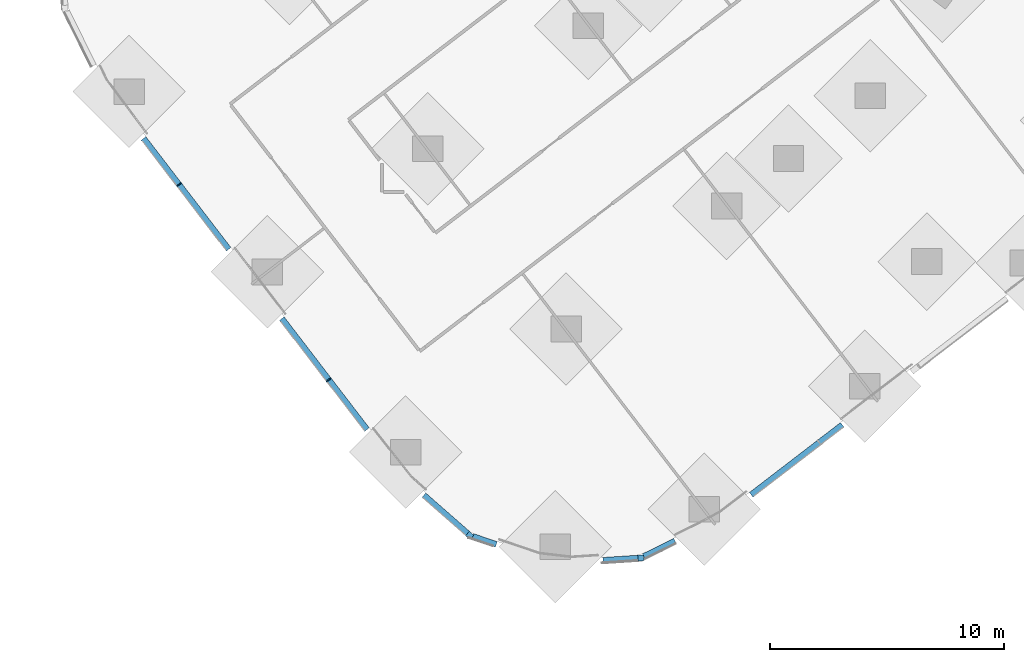
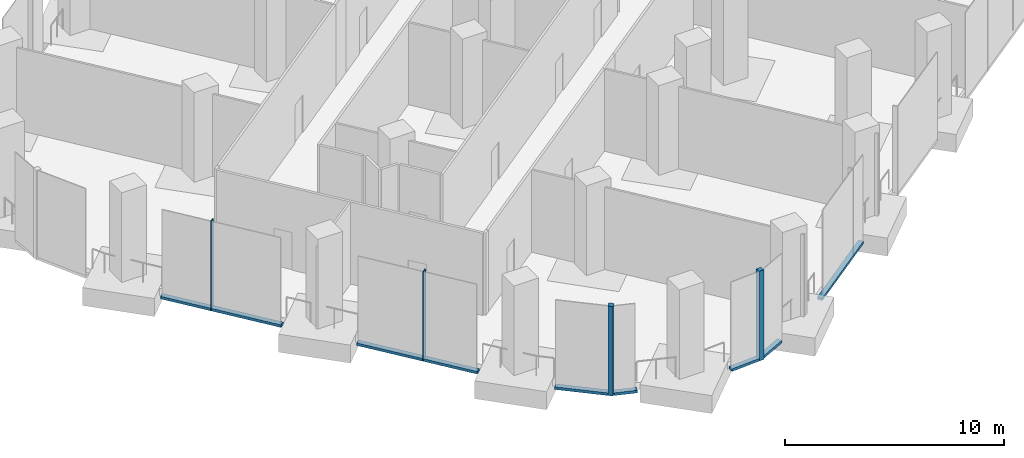
# One storey, part 2 of 27: 11 members, 6 elements without a shape of their own.
"""IFC4 building model written with IfcOpenShell, lengths in metres."""

from ifc_helpers import new_model, si_unit, direction, frame, origin, origin_2d, place, context, subcontext, project, spatial, rectangle, extrude, material, material_profile, profile_set, type_object, element, aggregate, save


model = new_model("IFC4")

# Units and contexts
model_context = context("Model", 3, precision=1e-05, world=origin(), true_north=direction((0.0, 1.0)))
body_context = subcontext(model_context, "Body", "Model", "MODEL_VIEW")
ifc_project = project(units=[si_unit("LENGTHUNIT", "METRE"), si_unit("AREAUNIT", "SQUARE_METRE"), si_unit("VOLUMEUNIT", "CUBIC_METRE"), si_unit("PLANEANGLEUNIT", "RADIAN"), si_unit("MASSUNIT", "GRAM", prefix="KILO")], contexts=[model_context])

# Site, building, storey
site_placement = place(None, origin())
site = spatial("IfcSite", under=ifc_project, at=site_placement, CompositionType="ELEMENT")
building_placement = place(site_placement, origin())
building = spatial("IfcBuilding", under=site, at=building_placement, Name="Orlundy Tower", CompositionType="ELEMENT")
storey_placement = place(building_placement, frame((0.0, 0.0, 10.5)))
storey = spatial("IfcBuildingStorey", under=building, at=storey_placement, Name="L01", CompositionType="ELEMENT", Elevation=10.5)

# Curtain wall, member
ifc_material_1 = material(Name="Aluminium bronze anodised", Category="aluminium")
curtain_wall_type = type_object("IfcCurtainWallType", Name="CW2 wall", PredefinedType="NOTDEFINED", material=ifc_material_1)
curtain_wall_1_placement = place(storey_placement, origin())
curtain_wall_1 = element("IfcCurtainWall", 1, at=curtain_wall_1_placement, inside=storey, type_object=curtain_wall_type, Name="CW2 run 04", PredefinedType="NOTDEFINED")
ifc_material_2 = material(Name="Aluminium bronze anodised", Category="aluminium")
ifc_material_profile_1 = material_profile(ifc_material_2, rectangle(XDim=0.25, YDim=0.25, at=origin_2d()), Name="CW2 corner post 250x250")
ifc_profile_set_1 = profile_set([ifc_material_profile_1], Name="Aluminium bronze anodised")
member_type_1 = type_object("IfcMemberType", Name="CW2 corner post 250x250", PredefinedType="MULLION", material=ifc_profile_set_1)
member_1_placement = place(storey_placement, frame((-30.783935546875, -48.068115234375, -0.39990234375), z_axis=(0.0, 0.0, 1.0), x_axis=(0.065283523877, -0.997866755389, 0.0)))
member_1 = element("IfcMember", 2, at=member_1_placement, type_object=member_type_1, Name="CW2 mullion 15", PredefinedType="MULLION", context=body_context, shape_type="SweptSolid", body=[
    extrude(rectangle(XDim=0.25, YDim=0.25, at=origin_2d()), origin(), (0.0, 0.0, 1.0), 5.0),
])

curtain_wall_2_placement = place(storey_placement, origin())
curtain_wall_2 = element("IfcCurtainWall", 3, at=curtain_wall_2_placement, inside=storey, type_object=curtain_wall_type, Name="CW2 run 06", PredefinedType="NOTDEFINED")
member_2_placement = place(storey_placement, frame((-38.089599609375, -47.1064453125, -0.39990234375), z_axis=(0.0, 0.0, 1.0), x_axis=(-0.65932547196, -0.751857647447, 0.0)))
member_2 = element("IfcMember", 4, at=member_2_placement, type_object=member_type_1, Name="CW2 mullion 17", PredefinedType="MULLION", context=body_context, shape_type="SweptSolid", body=[
    extrude(rectangle(XDim=0.25, YDim=0.25, at=origin_2d()), origin(), (0.0, 0.0, 1.0), 5.0),
])

# Curtain wall, members
curtain_wall_3_placement = place(storey_placement, origin())
curtain_wall_3 = element("IfcCurtainWall", 5, at=curtain_wall_3_placement, inside=storey, type_object=curtain_wall_type, Name="CW2 run 07", PredefinedType="NOTDEFINED")
ifc_material_3 = material(Name="Aluminium bronze anodised", Category="aluminium")
ifc_material_profile_2 = material_profile(ifc_material_3, rectangle(XDim=0.25, YDim=0.050048828125, at=origin_2d()), Name="CW2 mullion 50x250")
ifc_profile_set_2 = profile_set([ifc_material_profile_2], Name="Aluminium bronze anodised")
member_type_2 = type_object("IfcMemberType", Name="CW2 mullion 50x250", PredefinedType="MULLION", material=ifc_profile_set_2)
member_3_placement = place(storey_placement, frame((-44.108154296875, -40.462890625, -0.39990234375), z_axis=(0.0, 0.0, 1.0), x_axis=(-0.793363342967, -0.608748393046, 0.0)))
member_3 = element("IfcMember", 6, at=member_3_placement, type_object=member_type_2, Name="CW2 mullion 19", PredefinedType="MULLION", context=body_context, shape_type="SweptSolid", body=[
    extrude(rectangle(XDim=0.25, YDim=0.050048828125, at=origin_2d()), origin(), (0.0, 0.0, 1.0), 5.0),
])
member_4_placement = place(storey_placement, frame((-50.500244140625, -32.13232421875, -0.39990234375), z_axis=(0.0, 0.0, 1.0), x_axis=(-0.793363342967, -0.608748393046, 0.0)))
member_4 = element("IfcMember", 7, at=member_4_placement, type_object=member_type_2, Name="CW2 mullion 21", PredefinedType="MULLION", context=body_context, shape_type="SweptSolid", body=[
    extrude(rectangle(XDim=0.25, YDim=0.050048828125, at=origin_2d()), origin(), (0.0, 0.0, 1.0), 5.0),
])

# Curtain wall, member
curtain_wall_4_placement = place(storey_placement, origin())
curtain_wall_4 = element("IfcCurtainWall", 8, at=curtain_wall_4_placement, inside=storey, type_object=curtain_wall_type, Name="CW2 run 02", PredefinedType="NOTDEFINED")
ifc_material_4 = material(Name="Aluminium bronze anodised", Category="aluminium")
ifc_material_profile_3 = material_profile(ifc_material_4, rectangle(XDim=0.25, YDim=0.14990234375, at=origin_2d()), Name="CW2 transom 250x150")
ifc_profile_set_3 = profile_set([ifc_material_profile_3], Name="Aluminium bronze anodised")
member_type_3 = type_object("IfcMemberType", Name="CW2 transom 250x150", PredefinedType="USERDEFINED", material=ifc_profile_set_3)
member_5_placement = place(storey_placement, frame((-22.183349609375, -42.388916015625, -0.324951171875), z_axis=(-0.79334569595, -0.608771391178, 0.0), x_axis=(0.608771391178, -0.79334569595, 0.0)))
member_5 = element("IfcMember", 9, at=member_5_placement, type_object=member_type_3, Name="CW2 transom", ObjectType="TRANSOM", PredefinedType="USERDEFINED", context=body_context, shape_type="SweptSolid", body=[
    extrude(rectangle(XDim=0.25, YDim=0.14990234375, at=origin_2d()), origin(), (0.0, 0.0, 1.0), 4.900634765625),
])
aggregate(curtain_wall_4, [member_5])

curtain_wall_5_placement = place(storey_placement, origin())
curtain_wall_5 = element("IfcCurtainWall", 10, at=curtain_wall_5_placement, inside=storey, type_object=curtain_wall_type, Name="CW2 run 03", PredefinedType="NOTDEFINED")
member_6_placement = place(storey_placement, frame((-29.326904296875, -47.349365234375, -0.324951171875), z_axis=(-0.896807619126, -0.442420720896, 0.0), x_axis=(0.442420720896, -0.896807619126, 0.0)))
member_6 = element("IfcMember", 11, at=member_6_placement, type_object=member_type_3, Name="CW2 transom", ObjectType="TRANSOM", PredefinedType="USERDEFINED", context=body_context, shape_type="SweptSolid", body=[
    extrude(rectangle(XDim=0.25, YDim=0.14990234375, at=origin_2d()), origin(), (0.0, 0.0, 1.0), 1.489501953125),
])
aggregate(curtain_wall_5, [member_6])

# Member
member_7_placement = place(storey_placement, frame((-30.90869140625, -48.076171875, -0.324951171875), z_axis=(-0.997860263725, -0.065382674143, 0.0), x_axis=(0.065382674143, -0.997860263725, 0.0)))
member_7 = element("IfcMember", 12, at=member_7_placement, type_object=member_type_3, Name="CW2 transom", ObjectType="TRANSOM", PredefinedType="USERDEFINED", context=body_context, shape_type="SweptSolid", body=[
    extrude(rectangle(XDim=0.25, YDim=0.14990234375, at=origin_2d()), origin(), (0.0, 0.0, 1.0), 1.497314453125),
])

aggregate(curtain_wall_1, [member_1, member_7])

# Curtain wall, member
curtain_wall_6_placement = place(storey_placement, origin())
curtain_wall_6 = element("IfcCurtainWall", 13, at=curtain_wall_6_placement, inside=storey, type_object=curtain_wall_type, Name="CW2 run 05", PredefinedType="NOTDEFINED")
member_8_placement = place(storey_placement, frame((-36.953369140625, -47.491943359375, -0.324951171875), z_axis=(-0.946996140433, 0.321244937711, 0.0), x_axis=(-0.321244937711, -0.946996140433, 0.0)))
member_8 = element("IfcMember", 14, at=member_8_placement, type_object=member_type_3, Name="CW2 transom", ObjectType="TRANSOM", PredefinedType="USERDEFINED", context=body_context, shape_type="SweptSolid", body=[
    extrude(rectangle(XDim=0.25, YDim=0.14990234375, at=origin_2d()), origin(), (0.0, 0.0, 1.0), 1.064697265625),
])
aggregate(curtain_wall_6, [member_8])

# Member
member_9_placement = place(storey_placement, frame((-38.18359375, -47.02392578125, -0.324951171875), z_axis=(-0.751904796327, 0.659271702153, 0.0), x_axis=(-0.659271702153, -0.751904796327, 0.0)))
member_9 = element("IfcMember", 15, at=member_9_placement, type_object=member_type_3, Name="CW2 transom", ObjectType="TRANSOM", PredefinedType="USERDEFINED", context=body_context, shape_type="SweptSolid", body=[
    extrude(rectangle(XDim=0.25, YDim=0.14990234375, at=origin_2d()), origin(), (0.0, 0.0, 1.0), 2.4775390625),
])

aggregate(curtain_wall_2, [member_2, member_9])

member_10_placement = place(storey_placement, frame((-42.47705078125, -42.588623046875, -0.324951171875), z_axis=(-0.608753526643, 0.793359403927, 0.0), x_axis=(-0.793359403927, -0.608753526643, 0.0)))
member_10 = element("IfcMember", 16, at=member_10_placement, type_object=member_type_3, Name="CW2 transom", ObjectType="TRANSOM", PredefinedType="USERDEFINED", context=body_context, shape_type="SweptSolid", body=[
    extrude(rectangle(XDim=0.25, YDim=0.14990234375, at=origin_2d()), origin(), (0.0, 0.0, 1.0), 5.968505859375),
])

member_11_placement = place(storey_placement, frame((-48.382080078125, -34.892822265625, -0.324951171875), z_axis=(-0.608729557067, 0.793377795475, 0.0), x_axis=(-0.793377795475, -0.608729557067, 0.0)))
member_11 = element("IfcMember", 17, at=member_11_placement, type_object=member_type_3, Name="CW2 transom", ObjectType="TRANSOM", PredefinedType="USERDEFINED", context=body_context, shape_type="SweptSolid", body=[
    extrude(rectangle(XDim=0.25, YDim=0.14990234375, at=origin_2d()), origin(), (0.0, 0.0, 1.0), 5.967041015625),
])

aggregate(curtain_wall_3, [member_3, member_4, member_10, member_11])

save(model, "model.ifc")
